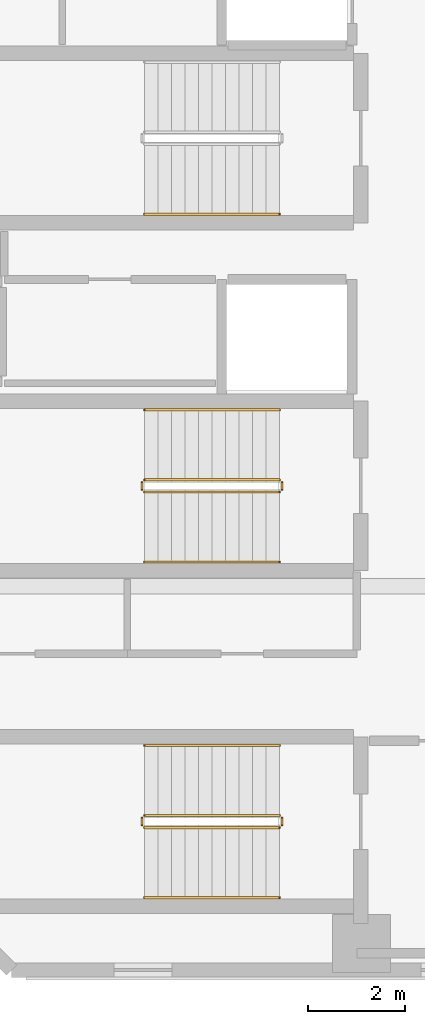
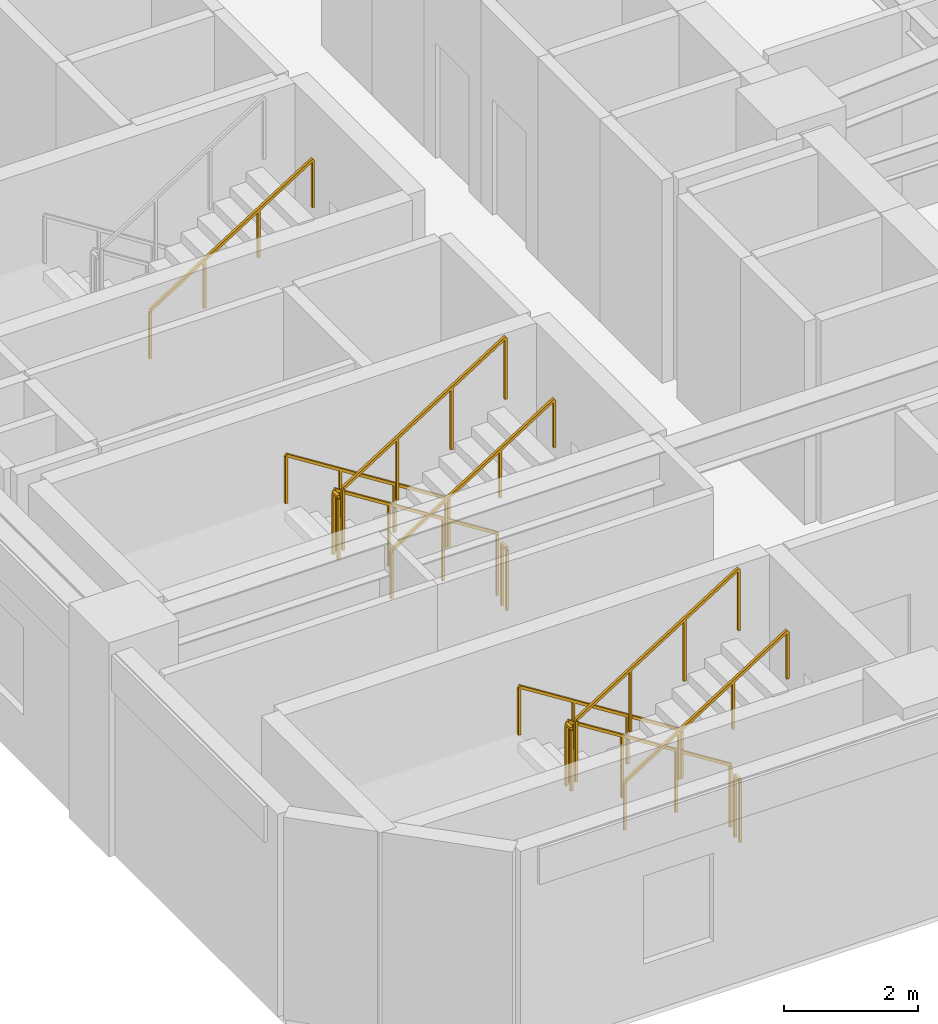
# One storey, part 7 of 11: 13 railings.
"""IFC4 building model written with IfcOpenShell, lengths in metres."""

from ifc_helpers import new_model, si_unit, direction, frame, origin, origin_2d, place, context, subcontext, project, spatial, rectangle, extrude, material, type_object, element, save


model = new_model("IFC4")

# Units and contexts
model_context = context("Model", 3, precision=1e-05, world=origin(), true_north=direction((0.0, 1.0)))
body_context = subcontext(model_context, "Body", "Model", "MODEL_VIEW")
ifc_project = project(units=[si_unit("LENGTHUNIT", "METRE"), si_unit("AREAUNIT", "SQUARE_METRE"), si_unit("VOLUMEUNIT", "CUBIC_METRE"), si_unit("PLANEANGLEUNIT", "RADIAN"), si_unit("MASSUNIT", "GRAM", prefix="KILO")], contexts=[model_context])

# Site, building, storey
site_placement = place(None, origin())
site = spatial("IfcSite", under=ifc_project, at=site_placement, CompositionType="ELEMENT")
building_placement = place(site_placement, origin())
building = spatial("IfcBuilding", under=site, at=building_placement, Name="Mawjaban Terraces University", CompositionType="ELEMENT")
storey_placement = place(building_placement, frame((0.0, 0.0, 103.39990234375)))
storey = spatial("IfcBuildingStorey", under=building, at=storey_placement, Name="L24", CompositionType="ELEMENT", Elevation=103.39990234375)

# Railings
ifc_material_1 = material(Name="Brushed stainless steel 316", Category="steel")
railing_type_1 = type_object("IfcRailingType", Name="StairWallHandrail_900", PredefinedType="HANDRAIL", material=ifc_material_1)
railing_1_placement = place(storey_placement, frame((30.050048828125, 4.64990234375, 0.177490234375)))
element("IfcRailing", 1, at=railing_1_placement, inside=storey, type_object=railing_type_1, Name="L24 ST-1 stair handrail 1", PredefinedType="HANDRAIL", context=body_context, shape_type="SweptSolid", body=[
    extrude(rectangle(XDim=0.048095703125, YDim=0.048095703125, at=origin_2d()), frame((0.0, 0.0, 0.8759765625), z_axis=(-0.844908973607, 0.0, 0.534910110503), x_axis=(0.0, -1.0, 0.0)), (0.0, 0.0, 1.0), 3.31396484375),
    extrude(rectangle(XDim=0.0419921875, YDim=0.0419921875, at=origin_2d()), origin(), (0.0, 0.0, 1.0), 0.851806640625),
    extrude(rectangle(XDim=0.0419921875, YDim=0.0419921875, at=origin_2d()), frame((-0.933349609375, 0.0, 0.5908203125)), (0.0, 0.0, 1.0), 0.851806640625),
    extrude(rectangle(XDim=0.0419921875, YDim=0.0419921875, at=origin_2d()), frame((-1.86669921875, 0.0, 1.181884765625)), (0.0, 0.0, 1.0), 0.851806640625),
    extrude(rectangle(XDim=0.0419921875, YDim=0.0419921875, at=origin_2d()), frame((-2.800048828125, 0.0, 1.772705078125)), (0.0, 0.0, 1.0), 0.851806640625),
])
for number, where, name in (
    (2, (27.25, 1.5, 2.12744140625), "L24 ST-1 stair handrail 2"),
    (3, (27.25, 15.64990234375, 2.12744140625), "L24 ST-2 stair handrail 2"),
):
    element("IfcRailing", number, at=place(storey_placement, frame(where)), inside=storey, type_object=railing_type_1, Name=name, PredefinedType="HANDRAIL", context=body_context, shape_type="SweptSolid", body=[
        extrude(rectangle(XDim=0.048095703125, YDim=0.048095703125, at=origin_2d()), frame((0.0, 0.0, 0.8759765625), z_axis=(0.844908973607, 0.0, 0.534910110503), x_axis=(0.0, 1.0, 0.0)), (0.0, 0.0, 1.0), 3.31396484375),
        extrude(rectangle(XDim=0.0419921875, YDim=0.0419921875, at=origin_2d()), origin(), (0.0, 0.0, 1.0), 0.851806640625),
        extrude(rectangle(XDim=0.0419921875, YDim=0.0419921875, at=origin_2d()), frame((0.933349609375, 0.0, 0.5908203125)), (0.0, 0.0, 1.0), 0.851806640625),
        extrude(rectangle(XDim=0.0419921875, YDim=0.0419921875, at=origin_2d()), frame((1.86669921875, 0.0, 1.181884765625)), (0.0, 0.0, 1.0), 0.851806640625),
        extrude(rectangle(XDim=0.0419921875, YDim=0.0419921875, at=origin_2d()), frame((2.800048828125, 0.0, 1.772705078125)), (0.0, 0.0, 1.0), 0.851806640625),
    ])
railing_2_placement = place(storey_placement, frame((30.050048828125, 11.60009765625, 0.177490234375)))
element("IfcRailing", 4, at=railing_2_placement, inside=storey, type_object=railing_type_1, Name="L24 ST-3 stair handrail 1", PredefinedType="HANDRAIL", context=body_context, shape_type="SweptSolid", body=[
    extrude(rectangle(XDim=0.048095703125, YDim=0.048095703125, at=origin_2d()), frame((0.0, 0.0, 0.8759765625), z_axis=(-0.844908973607, 0.0, 0.534910110503), x_axis=(0.0, -1.0, 0.0)), (0.0, 0.0, 1.0), 3.31396484375),
    extrude(rectangle(XDim=0.0419921875, YDim=0.0419921875, at=origin_2d()), origin(), (0.0, 0.0, 1.0), 0.851806640625),
    extrude(rectangle(XDim=0.0419921875, YDim=0.0419921875, at=origin_2d()), frame((-0.933349609375, 0.0, 0.5908203125)), (0.0, 0.0, 1.0), 0.851806640625),
    extrude(rectangle(XDim=0.0419921875, YDim=0.0419921875, at=origin_2d()), frame((-1.86669921875, 0.0, 1.181884765625)), (0.0, 0.0, 1.0), 0.851806640625),
    extrude(rectangle(XDim=0.0419921875, YDim=0.0419921875, at=origin_2d()), frame((-2.800048828125, 0.0, 1.772705078125)), (0.0, 0.0, 1.0), 0.851806640625),
])
railing_3_placement = place(storey_placement, frame((27.25, 8.449951171875, 2.12744140625)))
element("IfcRailing", 5, at=railing_3_placement, inside=storey, type_object=railing_type_1, Name="L24 ST-3 stair handrail 2", PredefinedType="HANDRAIL", context=body_context, shape_type="SweptSolid", body=[
    extrude(rectangle(XDim=0.048095703125, YDim=0.048095703125, at=origin_2d()), frame((0.0, 0.0, 0.8759765625), z_axis=(0.844908973607, 0.0, 0.534910110503), x_axis=(0.0, 1.0, 0.0)), (0.0, 0.0, 1.0), 3.31396484375),
    extrude(rectangle(XDim=0.0419921875, YDim=0.0419921875, at=origin_2d()), origin(), (0.0, 0.0, 1.0), 0.851806640625),
    extrude(rectangle(XDim=0.0419921875, YDim=0.0419921875, at=origin_2d()), frame((0.933349609375, 0.0, 0.5908203125)), (0.0, 0.0, 1.0), 0.851806640625),
    extrude(rectangle(XDim=0.0419921875, YDim=0.0419921875, at=origin_2d()), frame((1.86669921875, 0.0, 1.181884765625)), (0.0, 0.0, 1.0), 0.851806640625),
    extrude(rectangle(XDim=0.0419921875, YDim=0.0419921875, at=origin_2d()), frame((2.800048828125, 0.0, 1.772705078125)), (0.0, 0.0, 1.0), 0.851806640625),
])
ifc_material_2 = material(Name="Galvanised painted steel S355", Category="steel")
railing_type_2 = type_object("IfcRailingType", Name="StairWellGuard_1150", PredefinedType="BALUSTRADE", material=ifc_material_2)
railing_4_placement = place(storey_placement, frame((30.050048828125, 3.199951171875, 0.177490234375)))
element("IfcRailing", 6, at=railing_4_placement, inside=storey, type_object=railing_type_2, Name="L24 ST-1 stair guard 1", PredefinedType="BALUSTRADE", context=body_context, shape_type="SweptSolid", body=[
    extrude(rectangle(XDim=0.048095703125, YDim=0.048095703125, at=origin_2d()), frame((0.0, 0.0, 1.1259765625), z_axis=(-0.844908973607, 0.0, 0.534910110503), x_axis=(0.0, -1.0, 0.0)), (0.0, 0.0, 1.0), 3.31396484375),
    extrude(rectangle(XDim=0.0419921875, YDim=0.0419921875, at=origin_2d()), origin(), (0.0, 0.0, 1.0), 1.101806640625),
    extrude(rectangle(XDim=0.0419921875, YDim=0.0419921875, at=origin_2d()), frame((-0.933349609375, 0.0, 0.5908203125)), (0.0, 0.0, 1.0), 1.101806640625),
    extrude(rectangle(XDim=0.0419921875, YDim=0.0419921875, at=origin_2d()), frame((-1.86669921875, 0.0, 1.181884765625)), (0.0, 0.0, 1.0), 1.101806640625),
    extrude(rectangle(XDim=0.0419921875, YDim=0.0419921875, at=origin_2d()), frame((-2.800048828125, 0.0, 1.772705078125)), (0.0, 0.0, 1.0), 1.101806640625),
])
railing_5_placement = place(storey_placement, frame((27.199951171875, 3.14990234375, 1.9501953125)))
element("IfcRailing", 7, at=railing_5_placement, inside=storey, type_object=railing_type_2, Name="L24 ST-1 stair guard 2", PredefinedType="BALUSTRADE", context=body_context, shape_type="SweptSolid", body=[
    extrude(rectangle(XDim=0.048095703125, YDim=0.048095703125, at=origin_2d()), frame((0.0, 0.0, 1.1259765625), z_axis=(0.0, -1.0, 0.0), x_axis=(1.0, 0.0, 0.0)), (0.0, 0.0, 1.0), 0.14990234375),
    extrude(rectangle(XDim=0.0419921875, YDim=0.0419921875, at=origin_2d()), origin(), (0.0, 0.0, 1.0), 1.101806640625),
    extrude(rectangle(XDim=0.0419921875, YDim=0.0419921875, at=origin_2d()), frame((0.0, -0.14990234375, 0.0)), (0.0, 0.0, 1.0), 1.101806640625),
])
railing_6_placement = place(storey_placement, frame((27.25, 2.949951171875, 2.12744140625)))
element("IfcRailing", 8, at=railing_6_placement, inside=storey, type_object=railing_type_2, Name="L24 ST-1 stair guard 3", PredefinedType="BALUSTRADE", context=body_context, shape_type="SweptSolid", body=[
    extrude(rectangle(XDim=0.048095703125, YDim=0.048095703125, at=origin_2d()), frame((0.0, 0.0, 1.1259765625), z_axis=(0.844908973607, 0.0, 0.534910110503), x_axis=(0.0, 1.0, 0.0)), (0.0, 0.0, 1.0), 3.31396484375),
    extrude(rectangle(XDim=0.0419921875, YDim=0.0419921875, at=origin_2d()), origin(), (0.0, 0.0, 1.0), 1.101806640625),
    extrude(rectangle(XDim=0.0419921875, YDim=0.0419921875, at=origin_2d()), frame((0.933349609375, 0.0, 0.5908203125)), (0.0, 0.0, 1.0), 1.101806640625),
    extrude(rectangle(XDim=0.0419921875, YDim=0.0419921875, at=origin_2d()), frame((1.86669921875, 0.0, 1.181884765625)), (0.0, 0.0, 1.0), 1.101806640625),
    extrude(rectangle(XDim=0.0419921875, YDim=0.0419921875, at=origin_2d()), frame((2.800048828125, 0.0, 1.772705078125)), (0.0, 0.0, 1.0), 1.101806640625),
])
railing_7_placement = place(storey_placement, frame((30.10009765625, 3.14990234375, 0.0)))
element("IfcRailing", 9, at=railing_7_placement, inside=storey, type_object=railing_type_2, Name="L24 ST-1 stair guard 4", PredefinedType="BALUSTRADE", context=body_context, shape_type="SweptSolid", body=[
    extrude(rectangle(XDim=0.048095703125, YDim=0.048095703125, at=origin_2d()), frame((0.0, 0.0, 1.1259765625), z_axis=(0.0, -1.0, 0.0), x_axis=(1.0, 0.0, 0.0)), (0.0, 0.0, 1.0), 0.14990234375),
    extrude(rectangle(XDim=0.0419921875, YDim=0.0419921875, at=origin_2d()), origin(), (0.0, 0.0, 1.0), 1.101806640625),
    extrude(rectangle(XDim=0.0419921875, YDim=0.0419921875, at=origin_2d()), frame((0.0, -0.14990234375, 0.0)), (0.0, 0.0, 1.0), 1.101806640625),
])
railing_8_placement = place(storey_placement, frame((30.050048828125, 10.14990234375, 0.177490234375)))
element("IfcRailing", 10, at=railing_8_placement, inside=storey, type_object=railing_type_2, Name="L24 ST-3 stair guard 1", PredefinedType="BALUSTRADE", context=body_context, shape_type="SweptSolid", body=[
    extrude(rectangle(XDim=0.048095703125, YDim=0.048095703125, at=origin_2d()), frame((0.0, 0.0, 1.1259765625), z_axis=(-0.844908973607, 0.0, 0.534910110503), x_axis=(0.0, -1.0, 0.0)), (0.0, 0.0, 1.0), 3.31396484375),
    extrude(rectangle(XDim=0.0419921875, YDim=0.0419921875, at=origin_2d()), origin(), (0.0, 0.0, 1.0), 1.101806640625),
    extrude(rectangle(XDim=0.0419921875, YDim=0.0419921875, at=origin_2d()), frame((-0.933349609375, 0.0, 0.5908203125)), (0.0, 0.0, 1.0), 1.101806640625),
    extrude(rectangle(XDim=0.0419921875, YDim=0.0419921875, at=origin_2d()), frame((-1.86669921875, 0.0, 1.181884765625)), (0.0, 0.0, 1.0), 1.101806640625),
    extrude(rectangle(XDim=0.0419921875, YDim=0.0419921875, at=origin_2d()), frame((-2.800048828125, 0.0, 1.772705078125)), (0.0, 0.0, 1.0), 1.101806640625),
])
railing_9_placement = place(storey_placement, frame((27.199951171875, 10.10009765625, 1.9501953125)))
element("IfcRailing", 11, at=railing_9_placement, inside=storey, type_object=railing_type_2, Name="L24 ST-3 stair guard 2", PredefinedType="BALUSTRADE", context=body_context, shape_type="SweptSolid", body=[
    extrude(rectangle(XDim=0.048095703125, YDim=0.048095703125, at=origin_2d()), frame((0.0, 0.0, 1.1259765625), z_axis=(0.0, -1.0, 0.0), x_axis=(1.0, 0.0, 0.0)), (0.0, 0.0, 1.0), 0.150146484375),
    extrude(rectangle(XDim=0.0419921875, YDim=0.0419921875, at=origin_2d()), origin(), (0.0, 0.0, 1.0), 1.101806640625),
    extrude(rectangle(XDim=0.0419921875, YDim=0.0419921875, at=origin_2d()), frame((0.0, -0.150146484375, 0.0)), (0.0, 0.0, 1.0), 1.101806640625),
])
railing_10_placement = place(storey_placement, frame((27.25, 9.89990234375, 2.12744140625)))
element("IfcRailing", 12, at=railing_10_placement, inside=storey, type_object=railing_type_2, Name="L24 ST-3 stair guard 3", PredefinedType="BALUSTRADE", context=body_context, shape_type="SweptSolid", body=[
    extrude(rectangle(XDim=0.048095703125, YDim=0.048095703125, at=origin_2d()), frame((0.0, 0.0, 1.1259765625), z_axis=(0.844908973607, 0.0, 0.534910110503), x_axis=(0.0, 1.0, 0.0)), (0.0, 0.0, 1.0), 3.31396484375),
    extrude(rectangle(XDim=0.0419921875, YDim=0.0419921875, at=origin_2d()), origin(), (0.0, 0.0, 1.0), 1.101806640625),
    extrude(rectangle(XDim=0.0419921875, YDim=0.0419921875, at=origin_2d()), frame((0.933349609375, 0.0, 0.5908203125)), (0.0, 0.0, 1.0), 1.101806640625),
    extrude(rectangle(XDim=0.0419921875, YDim=0.0419921875, at=origin_2d()), frame((1.86669921875, 0.0, 1.181884765625)), (0.0, 0.0, 1.0), 1.101806640625),
    extrude(rectangle(XDim=0.0419921875, YDim=0.0419921875, at=origin_2d()), frame((2.800048828125, 0.0, 1.772705078125)), (0.0, 0.0, 1.0), 1.101806640625),
])
railing_11_placement = place(storey_placement, frame((30.10009765625, 10.10009765625, 0.0)))
element("IfcRailing", 13, at=railing_11_placement, inside=storey, type_object=railing_type_2, Name="L24 ST-3 stair guard 4", PredefinedType="BALUSTRADE", context=body_context, shape_type="SweptSolid", body=[
    extrude(rectangle(XDim=0.048095703125, YDim=0.048095703125, at=origin_2d()), frame((0.0, 0.0, 1.1259765625), z_axis=(0.0, -1.0, 0.0), x_axis=(1.0, 0.0, 0.0)), (0.0, 0.0, 1.0), 0.150146484375),
    extrude(rectangle(XDim=0.0419921875, YDim=0.0419921875, at=origin_2d()), origin(), (0.0, 0.0, 1.0), 1.101806640625),
    extrude(rectangle(XDim=0.0419921875, YDim=0.0419921875, at=origin_2d()), frame((0.0, -0.150146484375, 0.0)), (0.0, 0.0, 1.0), 1.101806640625),
])

save(model, "model.ifc")
